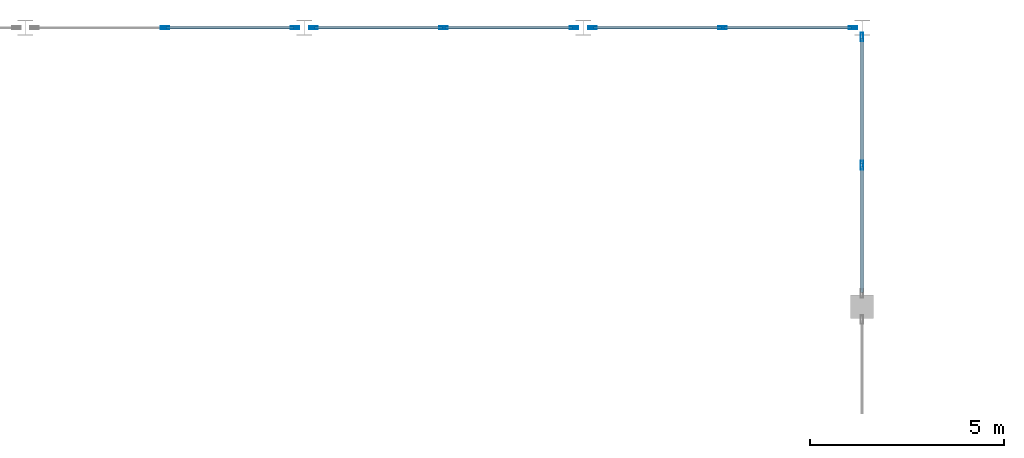
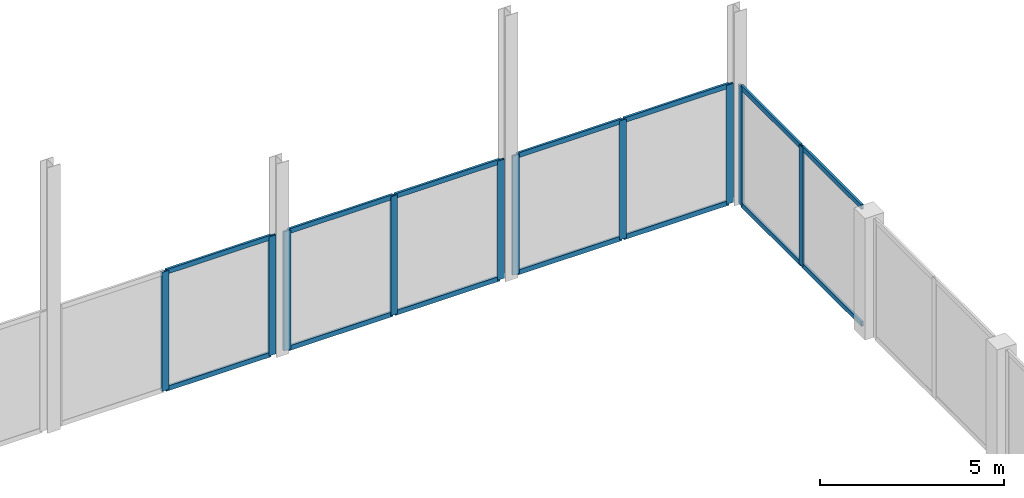
# One storey, part 24 of 51: 24 members, 4 elements without a shape of their own.
"""IFC4 building model written with IfcOpenShell, lengths in metres."""

from ifc_helpers import new_model, si_unit, direction, frame, origin, origin_2d, place, context, subcontext, project, spatial, hollow_rectangle, extrude, material, material_profile, profile_set, type_object, element, aggregate, save


model = new_model("IFC4")

# Units and contexts
model_context = context("Model", 3, precision=1e-05, world=origin(), true_north=direction((0.0, 1.0)))
body_context = subcontext(model_context, "Body", "Model", "MODEL_VIEW")
ifc_project = project(units=[si_unit("LENGTHUNIT", "METRE"), si_unit("AREAUNIT", "SQUARE_METRE"), si_unit("VOLUMEUNIT", "CUBIC_METRE"), si_unit("PLANEANGLEUNIT", "RADIAN"), si_unit("MASSUNIT", "GRAM", prefix="KILO")], contexts=[model_context])

# Site, building, storey
site_placement = place(None, origin())
site = spatial("IfcSite", under=ifc_project, at=site_placement, CompositionType="ELEMENT")
building_placement = place(site_placement, origin())
building = spatial("IfcBuilding", under=site, at=building_placement, Name="Vesperath Aquatics Centre", CompositionType="ELEMENT")
storey_placement = place(building_placement, frame((0.0, 0.0, 15.0)))
storey = spatial("IfcBuildingStorey", under=building, at=storey_placement, Name="L03", CompositionType="ELEMENT", Elevation=15.0)

# Curtain wall, members
ifc_material_1 = material(Name="Thermally broken anodised bronze aluminium curtain wall", Category="aluminium")
curtain_wall_type = type_object("IfcCurtainWallType", Name="CW-04", PredefinedType="NOTDEFINED", material=ifc_material_1)
curtain_wall_1_placement = place(storey_placement, origin())
curtain_wall_1 = element("IfcCurtainWall", 1, at=curtain_wall_1_placement, inside=storey, type_object=curtain_wall_type, Name="Facade Curtain Wall CW04 L03_N_05_16", PredefinedType="NOTDEFINED")
ifc_material_2 = material(Name="Thermally broken anodised aluminium", Category="aluminium")
ifc_material_profile_1 = material_profile(ifc_material_2, hollow_rectangle(XDim=0.070068359375, YDim=0.219970703125, WallThickness=0.0048828125, at=origin_2d()), Name="CWM 70x220x5")
ifc_profile_set_1 = profile_set([ifc_material_profile_1], Name="Thermally broken anodised aluminium")
member_type_1 = type_object("IfcMemberType", Name="MB-CWM2", PredefinedType="MULLION", material=ifc_profile_set_1)
member_1_placement = place(storey_placement, frame((39.60009765625, 115.199951171875, 0.0), z_axis=(0.0, 0.0, 1.0), x_axis=(0.0, 1.0, 0.0)))
member_1 = element("IfcMember", 2, at=member_1_placement, type_object=member_type_1, Name="CW04 mullion 2", PredefinedType="MULLION", context=body_context, shape_type="SweptSolid", body=[
    extrude(hollow_rectangle(XDim=0.070068359375, YDim=0.219970703125, WallThickness=0.0048828125, at=origin_2d()), origin(), (0.0, 0.0, 1.0), 3.9599609375),
])
member_2_placement = place(storey_placement, frame((42.965087890625, 115.199951171875, 0.0), z_axis=(0.0, 0.0, 1.0), x_axis=(0.0, 1.0, 0.0)))
member_2 = element("IfcMember", 3, at=member_2_placement, type_object=member_type_1, Name="CW04 mullion 3", PredefinedType="MULLION", context=body_context, shape_type="SweptSolid", body=[
    extrude(hollow_rectangle(XDim=0.070068359375, YDim=0.219970703125, WallThickness=0.0048828125, at=origin_2d()), origin(), (0.0, 0.0, 1.0), 3.9599609375),
])

curtain_wall_2_placement = place(storey_placement, origin())
curtain_wall_2 = element("IfcCurtainWall", 4, at=curtain_wall_2_placement, inside=storey, type_object=curtain_wall_type, Name="Facade Curtain Wall CW04 L03_N_06_16", PredefinedType="NOTDEFINED")
member_3_placement = place(storey_placement, frame((43.43505859375, 115.199951171875, 0.0), z_axis=(0.0, 0.0, 1.0), x_axis=(0.0, 1.0, 0.0)))
member_3 = element("IfcMember", 5, at=member_3_placement, type_object=member_type_1, Name="CW04 mullion 1", PredefinedType="MULLION", context=body_context, shape_type="SweptSolid", body=[
    extrude(hollow_rectangle(XDim=0.070068359375, YDim=0.219970703125, WallThickness=0.0048828125, at=origin_2d()), origin(), (0.0, 0.0, 1.0), 3.9599609375),
])
member_4_placement = place(storey_placement, frame((46.800048828125, 115.199951171875, 0.0), z_axis=(0.0, 0.0, 1.0), x_axis=(0.0, 1.0, 0.0)))
member_4 = element("IfcMember", 6, at=member_4_placement, type_object=member_type_1, Name="CW04 mullion 2", PredefinedType="MULLION", context=body_context, shape_type="SweptSolid", body=[
    extrude(hollow_rectangle(XDim=0.070068359375, YDim=0.219970703125, WallThickness=0.0048828125, at=origin_2d()), origin(), (0.0, 0.0, 1.0), 3.9599609375),
])
member_5_placement = place(storey_placement, frame((50.1650390625, 115.199951171875, 0.0), z_axis=(0.0, 0.0, 1.0), x_axis=(0.0, 1.0, 0.0)))
member_5 = element("IfcMember", 7, at=member_5_placement, type_object=member_type_1, Name="CW04 mullion 3", PredefinedType="MULLION", context=body_context, shape_type="SweptSolid", body=[
    extrude(hollow_rectangle(XDim=0.070068359375, YDim=0.219970703125, WallThickness=0.0048828125, at=origin_2d()), origin(), (0.0, 0.0, 1.0), 3.9599609375),
])

curtain_wall_3_placement = place(storey_placement, origin())
curtain_wall_3 = element("IfcCurtainWall", 8, at=curtain_wall_3_placement, inside=storey, type_object=curtain_wall_type, Name="Facade Curtain Wall CW04 L03_N_07_16", PredefinedType="NOTDEFINED")
member_6_placement = place(storey_placement, frame((50.635009765625, 115.199951171875, 0.0), z_axis=(0.0, 0.0, 1.0), x_axis=(0.0, 1.0, 0.0)))
member_6 = element("IfcMember", 9, at=member_6_placement, type_object=member_type_1, Name="CW04 mullion 1", PredefinedType="MULLION", context=body_context, shape_type="SweptSolid", body=[
    extrude(hollow_rectangle(XDim=0.070068359375, YDim=0.219970703125, WallThickness=0.0048828125, at=origin_2d()), origin(), (0.0, 0.0, 1.0), 3.9599609375),
])
member_7_placement = place(storey_placement, frame((54.0, 115.199951171875, 0.0), z_axis=(0.0, 0.0, 1.0), x_axis=(0.0, 1.0, 0.0)))
member_7 = element("IfcMember", 10, at=member_7_placement, type_object=member_type_1, Name="CW04 mullion 2", PredefinedType="MULLION", context=body_context, shape_type="SweptSolid", body=[
    extrude(hollow_rectangle(XDim=0.070068359375, YDim=0.219970703125, WallThickness=0.0048828125, at=origin_2d()), origin(), (0.0, 0.0, 1.0), 3.9599609375),
])
member_8_placement = place(storey_placement, frame((57.364990234375, 115.199951171875, 0.0), z_axis=(0.0, 0.0, 1.0), x_axis=(0.0, 1.0, 0.0)))
member_8 = element("IfcMember", 11, at=member_8_placement, type_object=member_type_1, Name="CW04 mullion 3", PredefinedType="MULLION", context=body_context, shape_type="SweptSolid", body=[
    extrude(hollow_rectangle(XDim=0.070068359375, YDim=0.219970703125, WallThickness=0.0048828125, at=origin_2d()), origin(), (0.0, 0.0, 1.0), 3.9599609375),
])

curtain_wall_4_placement = place(storey_placement, origin())
curtain_wall_4 = element("IfcCurtainWall", 12, at=curtain_wall_4_placement, inside=storey, type_object=curtain_wall_type, Name="Facade Curtain Wall CW04 L03_E_08_15", PredefinedType="NOTDEFINED")
member_9_placement = place(storey_placement, frame((57.60009765625, 111.64990234375, 0.0), z_axis=(0.0, 0.0, 1.0), x_axis=(-1.0, 0.0, 0.0)))
member_9 = element("IfcMember", 13, at=member_9_placement, type_object=member_type_1, Name="CW04 mullion 2", PredefinedType="MULLION", context=body_context, shape_type="SweptSolid", body=[
    extrude(hollow_rectangle(XDim=0.070068359375, YDim=0.219970703125, WallThickness=0.0048828125, at=origin_2d()), origin(), (0.0, 0.0, 1.0), 3.9599609375),
])
member_10_placement = place(storey_placement, frame((57.60009765625, 114.965087890625, 0.0), z_axis=(0.0, 0.0, 1.0), x_axis=(-1.0, 0.0, 0.0)))
member_10 = element("IfcMember", 14, at=member_10_placement, type_object=member_type_1, Name="CW04 mullion 3", PredefinedType="MULLION", context=body_context, shape_type="SweptSolid", body=[
    extrude(hollow_rectangle(XDim=0.070068359375, YDim=0.219970703125, WallThickness=0.0048828125, at=origin_2d()), origin(), (0.0, 0.0, 1.0), 3.9599609375),
])

# Member
ifc_material_profile_2 = material_profile(ifc_material_2, hollow_rectangle(XDim=0.070068359375, YDim=0.159912109375, WallThickness=0.0048828125, at=origin_2d()), Name="CWT 70x160x5")
ifc_profile_set_2 = profile_set([ifc_material_profile_2], Name="Thermally broken anodised aluminium")
member_type_2 = type_object("IfcMemberType", Name="MB-CWT2", PredefinedType="USERDEFINED", material=ifc_profile_set_2)
member_11_placement = place(storey_placement, frame((39.635009765625, 115.199951171875, 0.034912109375), z_axis=(1.0, 0.0, 0.0), x_axis=(0.0, 1.0, 0.0)))
member_11 = element("IfcMember", 15, at=member_11_placement, type_object=member_type_2, Name="CW04 transom 2.1", ObjectType="TRANSOM", PredefinedType="USERDEFINED", context=body_context, shape_type="SweptSolid", body=[
    extrude(hollow_rectangle(XDim=0.070068359375, YDim=0.159912109375, WallThickness=0.0048828125, at=origin_2d()), origin(), (0.0, 0.0, 1.0), 3.294921875),
])

member_12_placement = place(storey_placement, frame((39.635009765625, 115.199951171875, 3.925048828125), z_axis=(1.0, 0.0, 0.0), x_axis=(0.0, 1.0, 0.0)))
member_12 = element("IfcMember", 16, at=member_12_placement, type_object=member_type_2, Name="CW04 transom 2.2", ObjectType="TRANSOM", PredefinedType="USERDEFINED", context=body_context, shape_type="SweptSolid", body=[
    extrude(hollow_rectangle(XDim=0.070068359375, YDim=0.159912109375, WallThickness=0.0048828125, at=origin_2d()), origin(), (0.0, 0.0, 1.0), 3.294921875),
])

aggregate(curtain_wall_1, [member_1, member_2, member_11, member_12])

member_13_placement = place(storey_placement, frame((43.469970703125, 115.199951171875, 0.034912109375), z_axis=(1.0, 0.0, 0.0), x_axis=(0.0, 1.0, 0.0)))
member_13 = element("IfcMember", 17, at=member_13_placement, type_object=member_type_2, Name="CW04 transom 1.1", ObjectType="TRANSOM", PredefinedType="USERDEFINED", context=body_context, shape_type="SweptSolid", body=[
    extrude(hollow_rectangle(XDim=0.070068359375, YDim=0.159912109375, WallThickness=0.0048828125, at=origin_2d()), origin(), (0.0, 0.0, 1.0), 3.294921875),
])

member_14_placement = place(storey_placement, frame((43.469970703125, 115.199951171875, 3.925048828125), z_axis=(1.0, 0.0, 0.0), x_axis=(0.0, 1.0, 0.0)))
member_14 = element("IfcMember", 18, at=member_14_placement, type_object=member_type_2, Name="CW04 transom 1.2", ObjectType="TRANSOM", PredefinedType="USERDEFINED", context=body_context, shape_type="SweptSolid", body=[
    extrude(hollow_rectangle(XDim=0.070068359375, YDim=0.159912109375, WallThickness=0.0048828125, at=origin_2d()), origin(), (0.0, 0.0, 1.0), 3.294921875),
])

member_15_placement = place(storey_placement, frame((46.8349609375, 115.199951171875, 0.034912109375), z_axis=(1.0, 0.0, 0.0), x_axis=(0.0, 1.0, 0.0)))
member_15 = element("IfcMember", 19, at=member_15_placement, type_object=member_type_2, Name="CW04 transom 2.1", ObjectType="TRANSOM", PredefinedType="USERDEFINED", context=body_context, shape_type="SweptSolid", body=[
    extrude(hollow_rectangle(XDim=0.070068359375, YDim=0.159912109375, WallThickness=0.0048828125, at=origin_2d()), origin(), (0.0, 0.0, 1.0), 3.294921875),
])

member_16_placement = place(storey_placement, frame((46.8349609375, 115.199951171875, 3.925048828125), z_axis=(1.0, 0.0, 0.0), x_axis=(0.0, 1.0, 0.0)))
member_16 = element("IfcMember", 20, at=member_16_placement, type_object=member_type_2, Name="CW04 transom 2.2", ObjectType="TRANSOM", PredefinedType="USERDEFINED", context=body_context, shape_type="SweptSolid", body=[
    extrude(hollow_rectangle(XDim=0.070068359375, YDim=0.159912109375, WallThickness=0.0048828125, at=origin_2d()), origin(), (0.0, 0.0, 1.0), 3.294921875),
])

aggregate(curtain_wall_2, [member_3, member_4, member_5, member_13, member_14, member_15, member_16])

member_17_placement = place(storey_placement, frame((50.669921875, 115.199951171875, 0.034912109375), z_axis=(1.0, 0.0, 0.0), x_axis=(0.0, 1.0, 0.0)))
member_17 = element("IfcMember", 21, at=member_17_placement, type_object=member_type_2, Name="CW04 transom 1.1", ObjectType="TRANSOM", PredefinedType="USERDEFINED", context=body_context, shape_type="SweptSolid", body=[
    extrude(hollow_rectangle(XDim=0.070068359375, YDim=0.159912109375, WallThickness=0.0048828125, at=origin_2d()), origin(), (0.0, 0.0, 1.0), 3.295166015625),
])

member_18_placement = place(storey_placement, frame((50.669921875, 115.199951171875, 3.925048828125), z_axis=(1.0, 0.0, 0.0), x_axis=(0.0, 1.0, 0.0)))
member_18 = element("IfcMember", 22, at=member_18_placement, type_object=member_type_2, Name="CW04 transom 1.2", ObjectType="TRANSOM", PredefinedType="USERDEFINED", context=body_context, shape_type="SweptSolid", body=[
    extrude(hollow_rectangle(XDim=0.070068359375, YDim=0.159912109375, WallThickness=0.0048828125, at=origin_2d()), origin(), (0.0, 0.0, 1.0), 3.295166015625),
])

member_19_placement = place(storey_placement, frame((54.034912109375, 115.199951171875, 0.034912109375), z_axis=(1.0, 0.0, 0.0), x_axis=(0.0, 1.0, 0.0)))
member_19 = element("IfcMember", 23, at=member_19_placement, type_object=member_type_2, Name="CW04 transom 2.1", ObjectType="TRANSOM", PredefinedType="USERDEFINED", context=body_context, shape_type="SweptSolid", body=[
    extrude(hollow_rectangle(XDim=0.070068359375, YDim=0.159912109375, WallThickness=0.0048828125, at=origin_2d()), origin(), (0.0, 0.0, 1.0), 3.295166015625),
])

member_20_placement = place(storey_placement, frame((54.034912109375, 115.199951171875, 3.925048828125), z_axis=(1.0, 0.0, 0.0), x_axis=(0.0, 1.0, 0.0)))
member_20 = element("IfcMember", 24, at=member_20_placement, type_object=member_type_2, Name="CW04 transom 2.2", ObjectType="TRANSOM", PredefinedType="USERDEFINED", context=body_context, shape_type="SweptSolid", body=[
    extrude(hollow_rectangle(XDim=0.070068359375, YDim=0.159912109375, WallThickness=0.0048828125, at=origin_2d()), origin(), (0.0, 0.0, 1.0), 3.295166015625),
])

aggregate(curtain_wall_3, [member_6, member_7, member_8, member_17, member_18, member_19, member_20])

member_21_placement = place(storey_placement, frame((57.60009765625, 108.3701171875, 0.034912109375), z_axis=(0.0, 1.0, 0.0), x_axis=(-1.0, 0.0, 0.0)))
member_21 = element("IfcMember", 25, at=member_21_placement, type_object=member_type_2, Name="CW04 transom 1.1", ObjectType="TRANSOM", PredefinedType="USERDEFINED", context=body_context, shape_type="SweptSolid", body=[
    extrude(hollow_rectangle(XDim=0.070068359375, YDim=0.159912109375, WallThickness=0.0048828125, at=origin_2d()), origin(), (0.0, 0.0, 1.0), 3.244873046875),
])

member_22_placement = place(storey_placement, frame((57.60009765625, 108.3701171875, 3.925048828125), z_axis=(0.0, 1.0, 0.0), x_axis=(-1.0, 0.0, 0.0)))
member_22 = element("IfcMember", 26, at=member_22_placement, type_object=member_type_2, Name="CW04 transom 1.2", ObjectType="TRANSOM", PredefinedType="USERDEFINED", context=body_context, shape_type="SweptSolid", body=[
    extrude(hollow_rectangle(XDim=0.070068359375, YDim=0.159912109375, WallThickness=0.0048828125, at=origin_2d()), origin(), (0.0, 0.0, 1.0), 3.244873046875),
])

member_23_placement = place(storey_placement, frame((57.60009765625, 111.68505859375, 0.034912109375), z_axis=(0.0, 1.0, 0.0), x_axis=(-1.0, 0.0, 0.0)))
member_23 = element("IfcMember", 27, at=member_23_placement, type_object=member_type_2, Name="CW04 transom 2.1", ObjectType="TRANSOM", PredefinedType="USERDEFINED", context=body_context, shape_type="SweptSolid", body=[
    extrude(hollow_rectangle(XDim=0.070068359375, YDim=0.159912109375, WallThickness=0.0048828125, at=origin_2d()), origin(), (0.0, 0.0, 1.0), 3.244873046875),
])

member_24_placement = place(storey_placement, frame((57.60009765625, 111.68505859375, 3.925048828125), z_axis=(0.0, 1.0, 0.0), x_axis=(-1.0, 0.0, 0.0)))
member_24 = element("IfcMember", 28, at=member_24_placement, type_object=member_type_2, Name="CW04 transom 2.2", ObjectType="TRANSOM", PredefinedType="USERDEFINED", context=body_context, shape_type="SweptSolid", body=[
    extrude(hollow_rectangle(XDim=0.070068359375, YDim=0.159912109375, WallThickness=0.0048828125, at=origin_2d()), origin(), (0.0, 0.0, 1.0), 3.244873046875),
])

aggregate(curtain_wall_4, [member_9, member_10, member_21, member_22, member_23, member_24])

save(model, "model.ifc")
